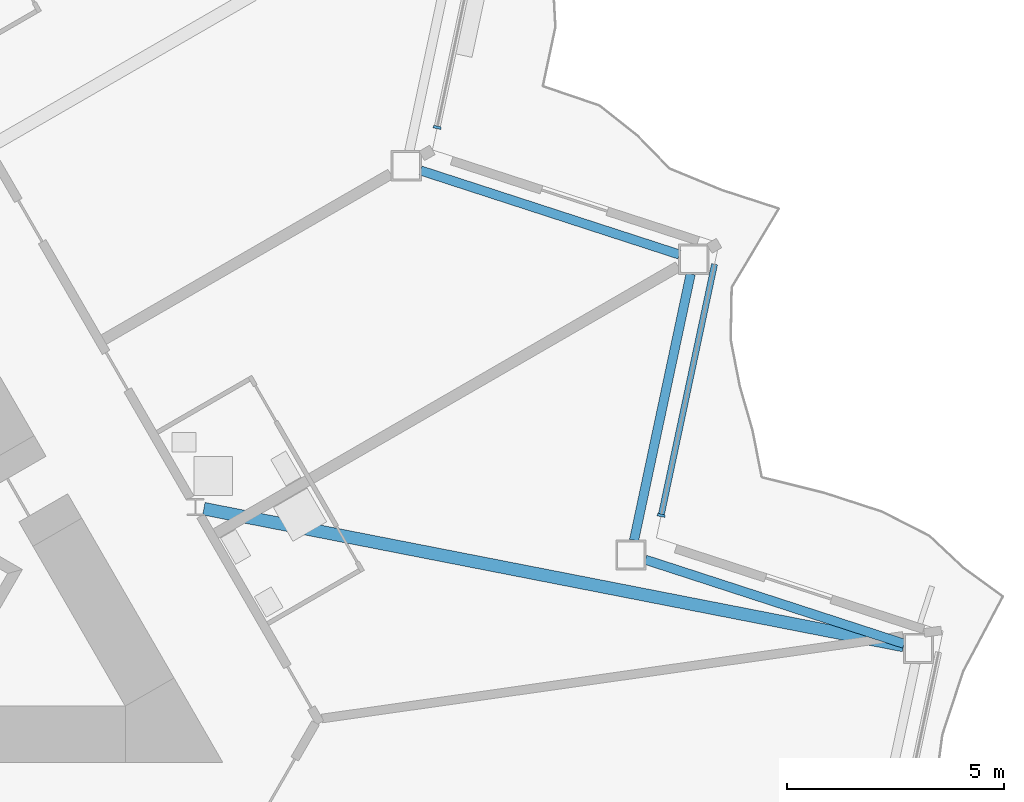
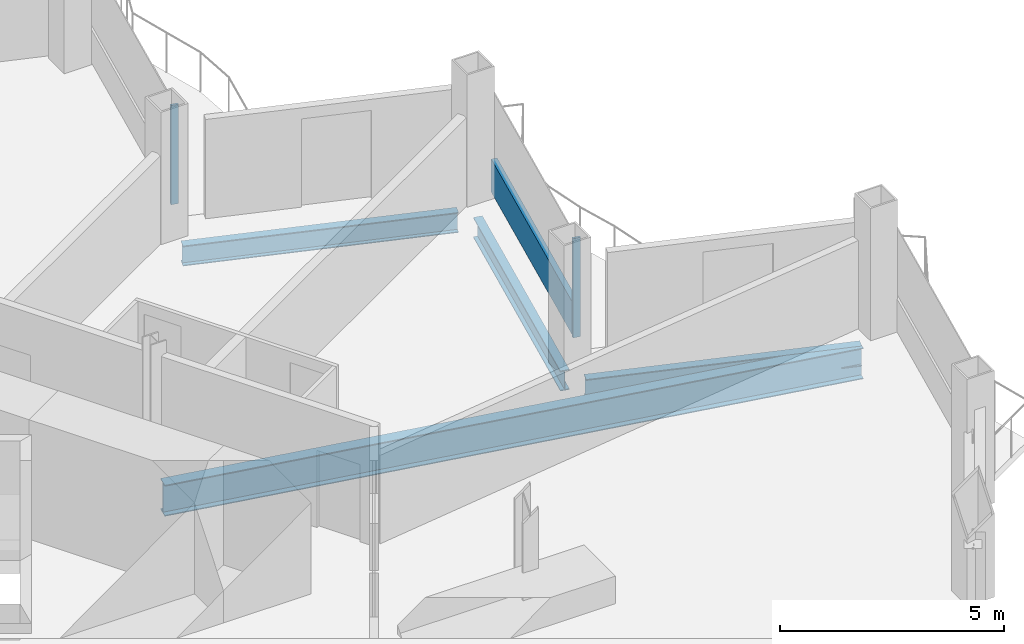
# One storey, part 7 of 24: 4 beams, 3 members, 2 elements without a shape of their own.
"""IFC4 building model written with IfcOpenShell, lengths in metres."""

from ifc_helpers import new_model, si_unit, direction, frame, origin, origin_2d, place, context, subcontext, project, spatial, rectangle, i_section, extrude, material, layer, layer_set, material_profile, profile_set, type_object, element, aggregate, save


model = new_model("IFC4")

# Units and contexts
model_context = context("Model", 3, precision=1e-05, world=origin(), true_north=direction((0.0, 1.0)))
body_context = subcontext(model_context, "Body", "Model", "MODEL_VIEW")
ifc_project = project(units=[si_unit("LENGTHUNIT", "METRE"), si_unit("AREAUNIT", "SQUARE_METRE"), si_unit("VOLUMEUNIT", "CUBIC_METRE"), si_unit("PLANEANGLEUNIT", "RADIAN"), si_unit("MASSUNIT", "GRAM", prefix="KILO")], contexts=[model_context])

# Site, building, storey
site_placement = place(None, origin())
site = spatial("IfcSite", under=ifc_project, at=site_placement, CompositionType="ELEMENT")
building_placement = place(site_placement, origin())
building = spatial("IfcBuilding", under=site, at=building_placement, Name="Cormorant Prow Tower", CompositionType="ELEMENT")
storey_placement = place(building_placement, frame((0.0, 0.0, 238.199951171875)))
storey = spatial("IfcBuildingStorey", under=building, at=storey_placement, Name="L52", CompositionType="ELEMENT", Elevation=238.199951171875)

# Curtain wall, member
ifc_material_1 = material(Name="Aluminium 6063-T6", Category="aluminium")
ifc_layer = layer(ifc_material_1, 0.179931640625)
ifc_layer_set = layer_set([ifc_layer], Name="Aluminium 6063-T6")
curtain_wall_type = type_object("IfcCurtainWallType", Name="Hotel unitised curtain wall 180", PredefinedType="NOTDEFINED", material=ifc_layer_set)
curtain_wall_1_placement = place(storey_placement, origin())
curtain_wall_1 = element("IfcCurtainWall", 1, at=curtain_wall_1_placement, inside=storey, type_object=curtain_wall_type, Name="Hotel curtain wall ENE02", PredefinedType="NOTDEFINED")
ifc_material_2 = material(Name="Aluminium 6063-T6", Category="aluminium")
ifc_material_profile_1 = material_profile(ifc_material_2, rectangle(XDim=0.179931640625, YDim=0.06005859375, at=origin_2d()), Name="Hotel mullion 60x180")
ifc_profile_set_1 = profile_set([ifc_material_profile_1], Name="Aluminium 6063-T6")
member_type_1 = type_object("IfcMemberType", Name="Hotel mullion 60x180", PredefinedType="MULLION", material=ifc_profile_set_1)
member_1_placement = place(storey_placement, frame((25.1220703125, -2.9560546875, 0.0), z_axis=(0.0, 0.0, 1.0), x_axis=(-0.978147581019, 0.207911783569, 0.0)))
member_1 = element("IfcMember", 2, at=member_1_placement, type_object=member_type_1, Name="Hotel mullion ENE02", PredefinedType="MULLION", context=body_context, shape_type="SweptSolid", body=[
    extrude(rectangle(XDim=0.179931640625, YDim=0.06005859375, at=origin_2d()), origin(), (0.0, 0.0, 1.0), 2.700927734375),
])

curtain_wall_2_placement = place(storey_placement, origin())
curtain_wall_2 = element("IfcCurtainWall", 3, at=curtain_wall_2_placement, inside=storey, type_object=curtain_wall_type, Name="Hotel curtain wall ENE04", PredefinedType="NOTDEFINED")
member_2_placement = place(storey_placement, frame((19.949951171875, 6.001708984375, 0.0), z_axis=(0.0, 0.0, 1.0), x_axis=(-0.978147604029, 0.207911675316, 0.0)))
member_2 = element("IfcMember", 4, at=member_2_placement, type_object=member_type_1, Name="Hotel mullion ENE04", PredefinedType="MULLION", context=body_context, shape_type="SweptSolid", body=[
    extrude(rectangle(XDim=0.179931640625, YDim=0.06005859375, at=origin_2d()), origin(), (0.0, 0.0, 1.0), 2.700927734375),
])
aggregate(curtain_wall_2, [member_2])

# Member
ifc_material_3 = material(Name="Terracotta", Category="masonry")
ifc_material_profile_2 = material_profile(ifc_material_3, rectangle(XDim=0.139892578125, YDim=0.89990234375, at=origin_2d()), Name="Hotel terracotta spandrel rail 140x900")
ifc_profile_set_2 = profile_set([ifc_material_profile_2], Name="Terracotta")
member_type_2 = type_object("IfcMemberType", Name="Hotel terracotta spandrel rail 140x900", PredefinedType="USERDEFINED", material=ifc_profile_set_2)
member_3_placement = place(storey_placement, frame((25.128173828125, -2.9267578125, 0.449951171875), z_axis=(0.207900345408, 0.978150012206, 0.0), x_axis=(-0.978150012206, 0.207900345408, 0.0)))
member_3 = element("IfcMember", 5, at=member_3_placement, type_object=member_type_2, Name="Hotel spandrel rail ENE02", ObjectType="TRANSOM", PredefinedType="USERDEFINED", context=body_context, shape_type="SweptSolid", body=[
    extrude(rectangle(XDim=0.139892578125, YDim=0.89990234375, at=origin_2d()), origin(), (0.0, 0.0, 1.0), 5.8974609375),
])

aggregate(curtain_wall_1, [member_1, member_3])

# Beams
ifc_material_4 = material(Name="Structural steel ASTM A992 Gr 50", Category="steel")
ifc_material_profile_3 = material_profile(ifc_material_4, i_section(OverallWidth=0.29296875, OverallDepth=0.845703125, WebThickness=0.015380859375, FlangeThickness=0.0244140625, at=origin_2d()), Name="W33x141")
ifc_profile_set_3 = profile_set([ifc_material_profile_3], Name="Structural steel ASTM A992 Gr 50")
beam_type_1 = type_object("IfcBeamType", Name="Radial floor beam W33x141", PredefinedType="BEAM", material=ifc_profile_set_3)
beam_placement = place(storey_placement, frame((14.5634765625, -2.80322265625, -0.77294921875), z_axis=(0.981419133752, -0.191876220269, 0.0), x_axis=(0.191876220269, 0.981419133752, 0.0)))
element("IfcBeam", 6, at=beam_placement, inside=storey, type_object=beam_type_1, Name="Radial floor beam FB2 10 L52", PredefinedType="BEAM", context=body_context, shape_type="SweptSolid", body=[
    extrude(i_section(OverallWidth=0.29296875, OverallDepth=0.845703125, WebThickness=0.015380859375, FlangeThickness=0.0244140625, at=origin_2d()), origin(), (0.0, 0.0, 1.0), 16.462158203125),
])
ifc_material_5 = material(Name="Structural steel ASTM A992 Gr 50", Category="steel")
ifc_material_profile_4 = material_profile(ifc_material_5, i_section(OverallWidth=0.2138671875, OverallDepth=0.549072265625, WebThickness=0.0146484375, FlangeThickness=0.023681640625, at=origin_2d()), Name="W21x93")
ifc_profile_set_4 = profile_set([ifc_material_profile_4], Name="Structural steel ASTM A992 Gr 50")
beam_type_2 = type_object("IfcBeamType", Name="Spandrel beam W21x93", PredefinedType="SPANDREL", material=ifc_profile_set_4)
for number, where, z_axis, x_axis, name in (
    (7, (30.730224609375, -5.9208984375, -0.62451171875), (-0.951061771288, 0.309000820701, 0.0), (-0.309000820701, -0.951061771288, 0.0), "Spandrel beam SB2 ENE01-ENE02 L52"),
    (8, (24.49609375, -3.529296875, -0.62451171875), (0.207941499013, 0.978141264331, 0.0), (-0.978141264331, 0.207941499013, 0.0), "Spandrel beam SB2 ENE02-ENE03 L52"),
    (9, (25.5419921875, 3.0654296875, -0.62451171875), (-0.951061771288, 0.309000820701, 0.0), (-0.309000820701, -0.951061771288, 0.0), "Spandrel beam SB2 ENE03-ENE04 L52"),
):
    element("IfcBeam", number, at=place(storey_placement, frame(where, z_axis=z_axis, x_axis=x_axis)), inside=storey, type_object=beam_type_2, Name=name, PredefinedType="SPANDREL", context=body_context, shape_type="SweptSolid", body=[
        extrude(i_section(OverallWidth=0.2138671875, OverallDepth=0.549072265625, WebThickness=0.0146484375, FlangeThickness=0.023681640625, at=origin_2d()), origin(), (0.0, 0.0, 1.0), 6.28125),
    ])

save(model, "model.ifc")
